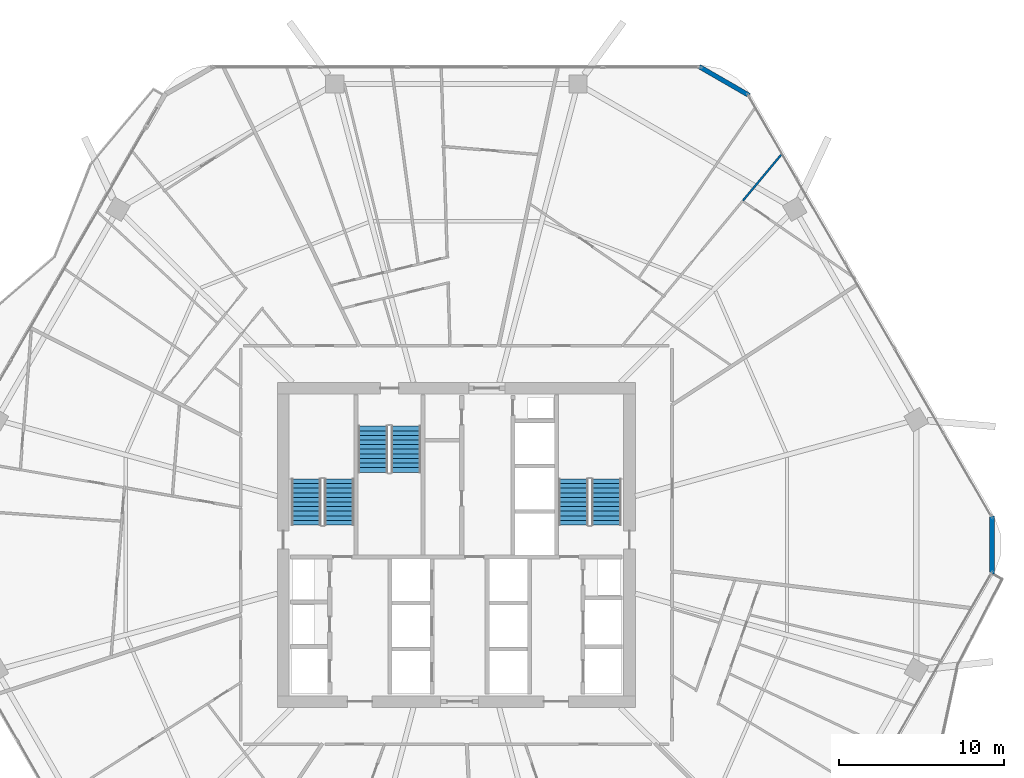
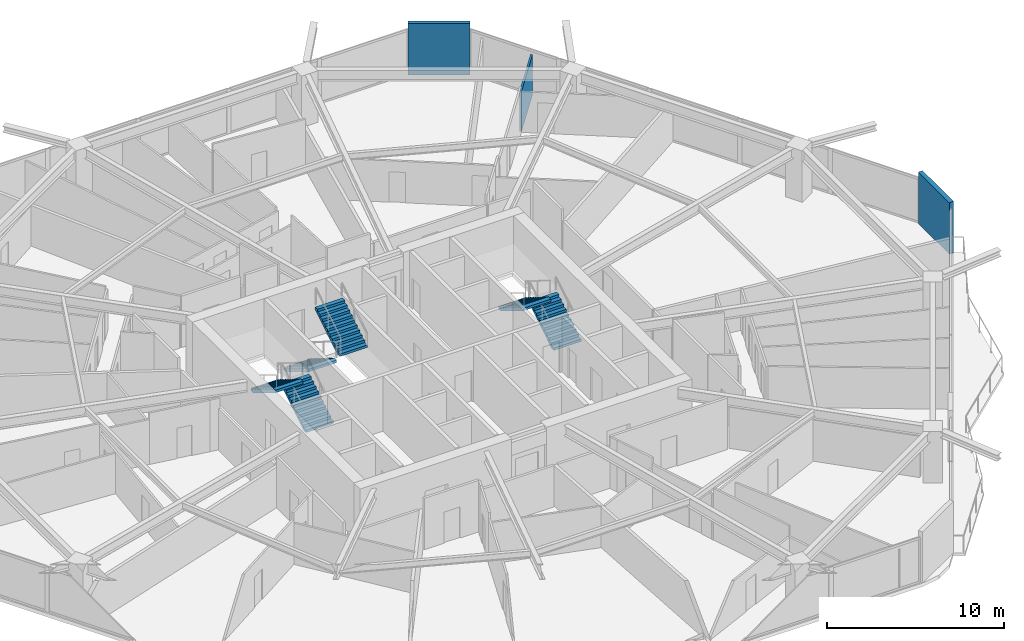
# One storey, part 28 of 32: 6 stair flights, 3 walls, 3 elements without a shape of their own.
"""IFC4 building model written with IfcOpenShell, lengths in metres."""

from ifc_helpers import new_model, si_unit, direction, frame, frame_2d, origin, place, context, subcontext, project, spatial, polyline, rectangle, outline, extrude, material, layer, layer_set, type_object, element, aggregate, save


model = new_model("IFC4")

# Units and contexts
model_context = context("Model", 3, precision=1e-05, world=origin(), true_north=direction((0.0, 1.0)))
body_context = subcontext(model_context, "Body", "Model", "MODEL_VIEW")
ifc_project = project(units=[si_unit("LENGTHUNIT", "METRE"), si_unit("AREAUNIT", "SQUARE_METRE"), si_unit("VOLUMEUNIT", "CUBIC_METRE"), si_unit("PLANEANGLEUNIT", "RADIAN"), si_unit("MASSUNIT", "GRAM", prefix="KILO")], contexts=[model_context])

# Site, building, storey
site_placement = place(None, origin())
site = spatial("IfcSite", under=ifc_project, at=site_placement, CompositionType="ELEMENT")
building_placement = place(site_placement, origin())
building = spatial("IfcBuilding", under=site, at=building_placement, Name="Zuhravey Tower", CompositionType="ELEMENT")
storey_placement = place(building_placement, frame((0.0, 0.0, 119.0)))
storey = spatial("IfcBuildingStorey", under=building, at=storey_placement, Name="L29", CompositionType="ELEMENT", Elevation=119.0)

# Walls
ifc_material_1 = material(Name="Precast concrete C40/50", Category="concrete")
ifc_layer_1 = layer(ifc_material_1, 0.280029296875)
ifc_layer_set_1 = layer_set([ifc_layer_1], Name="Precast concrete C40/50")
wall_type_1 = type_object("IfcWallType", Name="Crown Architectural Wall 280", PredefinedType="SOLIDWALL", material=ifc_layer_set_1)
wall_1_placement = place(storey_placement, frame((50.71728515625, 61.006103515625, 0.0), z_axis=(0.0, 0.0, 1.0), x_axis=(0.866007452331, -0.500031091541, 0.0)))
element("IfcWall", 1, at=wall_1_placement, inside=storey, type_object=wall_type_1, Name="L29 Rounded Corner Closure Wall EW28-10", PredefinedType="SOLIDWALL", context=body_context, shape_type="SweptSolid", body=[
    extrude(rectangle(XDim=3.514892578125, YDim=0.280029296875, at=frame_2d((1.75732421875, 0.0))), origin(), (0.0, 0.0, 1.0), 3.550048828125),
])
wall_2_placement = place(storey_placement, frame((68.478515625, 33.757568359375, 0.0), z_axis=(0.0, 0.0, 1.0), x_axis=(0.0, -1.0, 0.0)))
element("IfcWall", 2, at=wall_2_placement, inside=storey, type_object=wall_type_1, Name="L29 Rounded Corner Closure Wall EW28-12", PredefinedType="SOLIDWALL", context=body_context, shape_type="SweptSolid", body=[
    extrude(rectangle(XDim=3.51513671875, YDim=0.280029296875, at=frame_2d((1.757568359375, 0.0))), origin(), (0.0, 0.0, 1.0), 3.550048828125),
])
ifc_material_2 = material(Name="Gypsum metal-stud partition")
ifc_layer_2 = layer(ifc_material_2, 0.1201171875)
ifc_layer_set_2 = layer_set([ifc_layer_2], Name="Gypsum metal-stud partition")
wall_type_2 = type_object("IfcWallType", Name="Unit Internal Partition 120", PredefinedType="PARTITIONING", material=ifc_layer_set_2)
wall_3_placement = place(storey_placement, frame((53.376708984375, 52.870849609375, 0.0), z_axis=(0.0, 0.0, 1.0), x_axis=(0.639815010382, 0.76852895358, 0.0)))
element("IfcWall", 3, at=wall_3_placement, inside=storey, type_object=wall_type_2, Name="L29 IW12 Partition 070", PredefinedType="PARTITIONING", context=body_context, shape_type="SweptSolid", body=[
    extrude(rectangle(XDim=3.706298828125, YDim=0.1201171875, at=frame_2d((1.85302734375, 0.0))), origin(), (0.0, 0.0, 1.0), 2.800048828125),
])

# Stair, stair flights
ifc_material_3 = material(Name="Concrete C40/50", Category="concrete")
stair_type = type_object("IfcStairType", Name="Housing Storey Stair Assembly 3800", PredefinedType="HALF_TURN_STAIR", material=ifc_material_3)
stair_1_placement = place(storey_placement, origin())
stair_1 = element("IfcStair", 4, at=stair_1_placement, inside=storey, type_object=stair_type, Name="L29 Core Exit Stair ST1", PredefinedType="HALF_TURN_STAIR")
stair_flight_type = type_object("IfcStairFlightType", Name="Housing Storey Stair Flight 3800", PredefinedType="STRAIGHT", material=ifc_material_3)
stair_flight_1_placement = place(storey_placement, frame((28.89990234375, 33.199951171875, 0.0), z_axis=(0.0, 0.0, 1.0), x_axis=(0.0, 1.0, 0.0)))
stair_flight_1 = element("IfcStairFlight", 5, at=stair_flight_1_placement, type_object=stair_flight_type, Name="ST1 flight 1", NumberOfRisers=11, NumberOfTreads=10, PredefinedType="STRAIGHT", RiserHeight=0.172727273, TreadLength=0.28, context=body_context, shape_type="SweptSolid", body=[
    extrude(outline(polyline([(0.0, 0.0), (0.0, 0.172607421875), (0.280029296875, 0.172607421875), (0.280029296875, 0.345458984375), (0.56005859375, 0.345458984375), (0.56005859375, 0.51806640625), (0.840087890625, 0.51806640625), (0.840087890625, 0.69091796875), (1.1201171875, 0.69091796875), (1.1201171875, 0.863525390625), (1.39990234375, 0.863525390625), (1.39990234375, 1.036376953125), (1.679931640625, 1.036376953125), (1.679931640625, 1.208984375), (1.9599609375, 1.208984375), (1.9599609375, 1.3818359375), (2.239990234375, 1.3818359375), (2.239990234375, 1.554443359375), (2.52001953125, 1.554443359375), (2.52001953125, 1.727294921875), (2.800048828125, 1.727294921875), (2.800048828125, 1.89990234375), (2.800048828125, 1.551025390625), (0.285400390625, 0.0), (0.0, 0.0)])), frame((0.0, 0.89990234375, 0.0), z_axis=(0.0, -1.0, 0.0), x_axis=(1.0, 0.0, 0.0)), (0.0, 0.0, 1.0), 1.800048828125),
])
stair_flight_2_placement = place(storey_placement, frame((26.89990234375, 36.0, 1.89990234375), z_axis=(0.0, 0.0, 1.0), x_axis=(0.0, -1.0, 0.0)))
stair_flight_2 = element("IfcStairFlight", 6, at=stair_flight_2_placement, type_object=stair_flight_type, Name="ST1 flight 2", NumberOfRisers=11, NumberOfTreads=10, PredefinedType="STRAIGHT", RiserHeight=0.172727273, TreadLength=0.28, context=body_context, shape_type="SweptSolid", body=[
    extrude(outline(polyline([(0.0, 0.0), (0.0, 0.172607421875), (0.280029296875, 0.172607421875), (0.280029296875, 0.345458984375), (0.56005859375, 0.345458984375), (0.56005859375, 0.51806640625), (0.840087890625, 0.51806640625), (0.840087890625, 0.69091796875), (1.1201171875, 0.69091796875), (1.1201171875, 0.863525390625), (1.39990234375, 0.863525390625), (1.39990234375, 1.036376953125), (1.679931640625, 1.036376953125), (1.679931640625, 1.208984375), (1.9599609375, 1.208984375), (1.9599609375, 1.3818359375), (2.239990234375, 1.3818359375), (2.239990234375, 1.554443359375), (2.52001953125, 1.554443359375), (2.52001953125, 1.727294921875), (2.800048828125, 1.727294921875), (2.800048828125, 1.89990234375), (2.800048828125, 1.551025390625), (0.285400390625, 0.0), (0.0, 0.0)])), frame((0.0, 0.89990234375, 0.0), z_axis=(0.0, -1.0, 0.0), x_axis=(1.0, 0.0, 0.0)), (0.0, 0.0, 1.0), 1.800048828125),
])
aggregate(stair_1, [stair_flight_1, stair_flight_2])

stair_2_placement = place(storey_placement, origin())
stair_2 = element("IfcStair", 7, at=stair_2_placement, inside=storey, type_object=stair_type, Name="L29 Core Exit Stair ST2", PredefinedType="HALF_TURN_STAIR")
stair_flight_3_placement = place(storey_placement, frame((45.10009765625, 33.199951171875, 0.0), z_axis=(0.0, 0.0, 1.0), x_axis=(0.0, 1.0, 0.0)))
stair_flight_3 = element("IfcStairFlight", 8, at=stair_flight_3_placement, type_object=stair_flight_type, Name="ST2 flight 1", NumberOfRisers=11, NumberOfTreads=10, PredefinedType="STRAIGHT", RiserHeight=0.172727273, TreadLength=0.28, context=body_context, shape_type="SweptSolid", body=[
    extrude(outline(polyline([(0.0, 0.0), (0.0, 0.172607421875), (0.280029296875, 0.172607421875), (0.280029296875, 0.345458984375), (0.56005859375, 0.345458984375), (0.56005859375, 0.51806640625), (0.840087890625, 0.51806640625), (0.840087890625, 0.69091796875), (1.1201171875, 0.69091796875), (1.1201171875, 0.863525390625), (1.39990234375, 0.863525390625), (1.39990234375, 1.036376953125), (1.679931640625, 1.036376953125), (1.679931640625, 1.208984375), (1.9599609375, 1.208984375), (1.9599609375, 1.3818359375), (2.239990234375, 1.3818359375), (2.239990234375, 1.554443359375), (2.52001953125, 1.554443359375), (2.52001953125, 1.727294921875), (2.800048828125, 1.727294921875), (2.800048828125, 1.89990234375), (2.800048828125, 1.551025390625), (0.285400390625, 0.0), (0.0, 0.0)])), frame((0.0, 0.89990234375, 0.0), z_axis=(0.0, -1.0, 0.0), x_axis=(1.0, 0.0, 0.0)), (0.0, 0.0, 1.0), 1.800048828125),
])
stair_flight_4_placement = place(storey_placement, frame((43.10009765625, 36.0, 1.89990234375), z_axis=(0.0, 0.0, 1.0), x_axis=(0.0, -1.0, 0.0)))
stair_flight_4 = element("IfcStairFlight", 9, at=stair_flight_4_placement, type_object=stair_flight_type, Name="ST2 flight 2", NumberOfRisers=11, NumberOfTreads=10, PredefinedType="STRAIGHT", RiserHeight=0.172727273, TreadLength=0.28, context=body_context, shape_type="SweptSolid", body=[
    extrude(outline(polyline([(0.0, 0.0), (0.0, 0.172607421875), (0.280029296875, 0.172607421875), (0.280029296875, 0.345458984375), (0.56005859375, 0.345458984375), (0.56005859375, 0.51806640625), (0.840087890625, 0.51806640625), (0.840087890625, 0.69091796875), (1.1201171875, 0.69091796875), (1.1201171875, 0.863525390625), (1.39990234375, 0.863525390625), (1.39990234375, 1.036376953125), (1.679931640625, 1.036376953125), (1.679931640625, 1.208984375), (1.9599609375, 1.208984375), (1.9599609375, 1.3818359375), (2.239990234375, 1.3818359375), (2.239990234375, 1.554443359375), (2.52001953125, 1.554443359375), (2.52001953125, 1.727294921875), (2.800048828125, 1.727294921875), (2.800048828125, 1.89990234375), (2.800048828125, 1.551025390625), (0.285400390625, 0.0), (0.0, 0.0)])), frame((0.0, 0.89990234375, 0.0), z_axis=(0.0, -1.0, 0.0), x_axis=(1.0, 0.0, 0.0)), (0.0, 0.0, 1.0), 1.800048828125),
])
aggregate(stair_2, [stair_flight_3, stair_flight_4])

stair_3_placement = place(storey_placement, origin())
stair_3 = element("IfcStair", 10, at=stair_3_placement, inside=storey, type_object=stair_type, Name="L29 Core Exit Stair ST3", PredefinedType="HALF_TURN_STAIR")
stair_flight_5_placement = place(storey_placement, frame((30.949951171875, 39.199951171875, 0.0), z_axis=(0.0, 0.0, 1.0), x_axis=(0.0, -1.0, 0.0)))
stair_flight_5 = element("IfcStairFlight", 11, at=stair_flight_5_placement, type_object=stair_flight_type, Name="ST3 flight 1", NumberOfRisers=11, NumberOfTreads=10, PredefinedType="STRAIGHT", RiserHeight=0.172727273, TreadLength=0.28, context=body_context, shape_type="SweptSolid", body=[
    extrude(outline(polyline([(0.0, 0.0), (0.0, 0.172607421875), (0.280029296875, 0.172607421875), (0.280029296875, 0.345458984375), (0.56005859375, 0.345458984375), (0.56005859375, 0.51806640625), (0.840087890625, 0.51806640625), (0.840087890625, 0.69091796875), (1.1201171875, 0.69091796875), (1.1201171875, 0.863525390625), (1.39990234375, 0.863525390625), (1.39990234375, 1.036376953125), (1.679931640625, 1.036376953125), (1.679931640625, 1.208984375), (1.9599609375, 1.208984375), (1.9599609375, 1.3818359375), (2.239990234375, 1.3818359375), (2.239990234375, 1.554443359375), (2.52001953125, 1.554443359375), (2.52001953125, 1.727294921875), (2.800048828125, 1.727294921875), (2.800048828125, 1.89990234375), (2.800048828125, 1.551025390625), (0.285400390625, 0.0), (0.0, 0.0)])), frame((0.0, 0.89990234375, 0.0), z_axis=(0.0, -1.0, 0.0), x_axis=(1.0, 0.0, 0.0)), (0.0, 0.0, 1.0), 1.800048828125),
])
stair_flight_6_placement = place(storey_placement, frame((32.949951171875, 36.39990234375, 1.89990234375), z_axis=(0.0, 0.0, 1.0), x_axis=(0.0, 1.0, 0.0)))
stair_flight_6 = element("IfcStairFlight", 12, at=stair_flight_6_placement, type_object=stair_flight_type, Name="ST3 flight 2", NumberOfRisers=11, NumberOfTreads=10, PredefinedType="STRAIGHT", RiserHeight=0.172727273, TreadLength=0.28, context=body_context, shape_type="SweptSolid", body=[
    extrude(outline(polyline([(0.0, 0.0), (0.0, 0.172607421875), (0.280029296875, 0.172607421875), (0.280029296875, 0.345458984375), (0.56005859375, 0.345458984375), (0.56005859375, 0.51806640625), (0.840087890625, 0.51806640625), (0.840087890625, 0.69091796875), (1.1201171875, 0.69091796875), (1.1201171875, 0.863525390625), (1.39990234375, 0.863525390625), (1.39990234375, 1.036376953125), (1.679931640625, 1.036376953125), (1.679931640625, 1.208984375), (1.9599609375, 1.208984375), (1.9599609375, 1.3818359375), (2.239990234375, 1.3818359375), (2.239990234375, 1.554443359375), (2.52001953125, 1.554443359375), (2.52001953125, 1.727294921875), (2.800048828125, 1.727294921875), (2.800048828125, 1.89990234375), (2.800048828125, 1.551025390625), (0.285400390625, 0.0), (0.0, 0.0)])), frame((0.0, 0.89990234375, 0.0), z_axis=(0.0, -1.0, 0.0), x_axis=(1.0, 0.0, 0.0)), (0.0, 0.0, 1.0), 1.800048828125),
])
aggregate(stair_3, [stair_flight_5, stair_flight_6])

save(model, "model.ifc")
